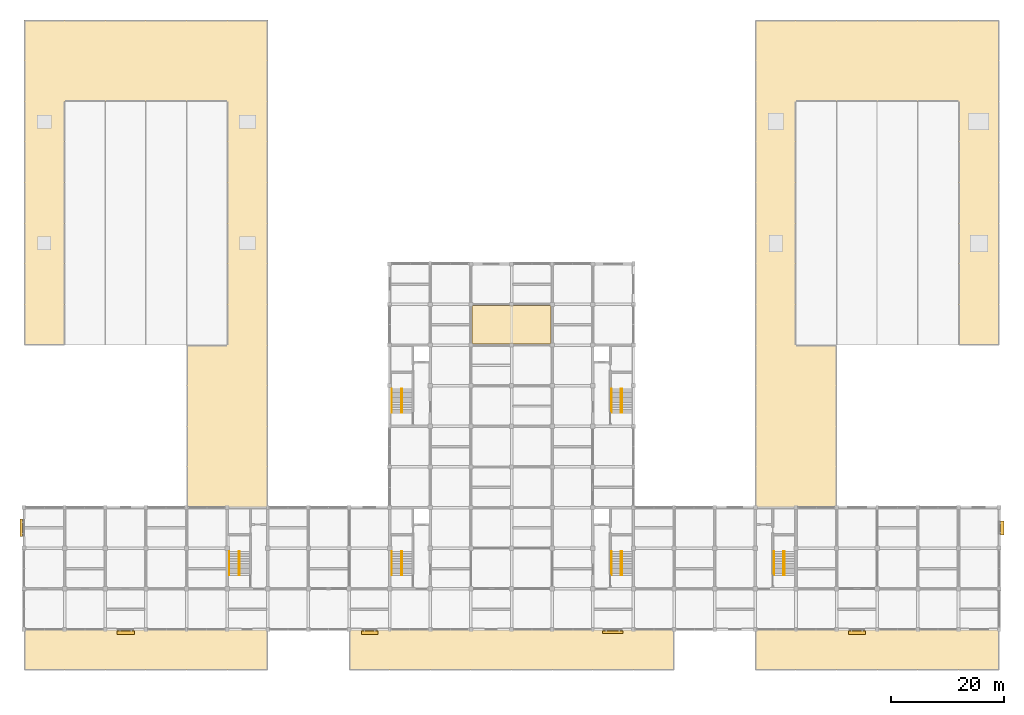
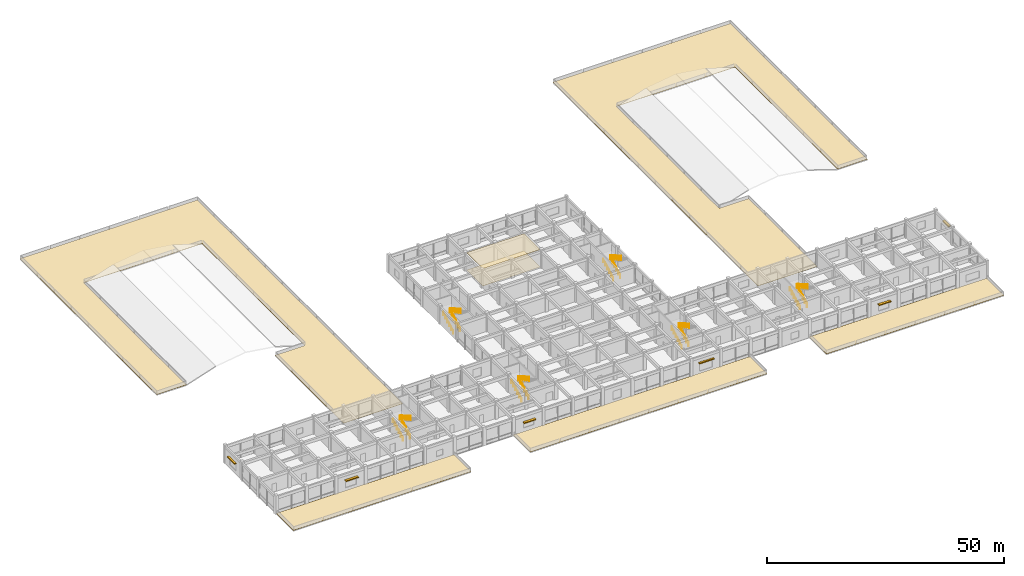
# One storey, part 30 of 30: 12 railings, 7 coverings, 6 shading devices.
"""IFC4 building model written with IfcOpenShell, lengths in metres."""

from ifc_helpers import new_model, si_unit, direction, frame, origin, origin_2d, place, context, subcontext, project, spatial, polyline, rectangle, circle, outline, extrude, material, layer, layer_set, type_object, element, save


model = new_model("IFC4")

# Units and contexts
model_context = context("Model", 3, precision=1e-05, world=origin(), true_north=direction((0.0, 1.0)))
body_context = subcontext(model_context, "Body", "Model", "MODEL_VIEW")
ifc_project = project(units=[si_unit("LENGTHUNIT", "METRE"), si_unit("AREAUNIT", "SQUARE_METRE"), si_unit("VOLUMEUNIT", "CUBIC_METRE"), si_unit("PLANEANGLEUNIT", "RADIAN"), si_unit("MASSUNIT", "GRAM", prefix="KILO")], contexts=[model_context])

# Site, building, storey
site_placement = place(None, origin())
site = spatial("IfcSite", under=ifc_project, at=site_placement, CompositionType="ELEMENT")
building_placement = place(site_placement, origin())
building = spatial("IfcBuilding", under=site, at=building_placement, Name="Cendaluz Park School", CompositionType="ELEMENT")
storey_placement = place(building_placement, frame((0.0, 0.0, 9.60009765625)))
storey = spatial("IfcBuildingStorey", under=building, at=storey_placement, Name="L02", CompositionType="ELEMENT", Elevation=9.60009765625)

# Coverings
ifc_material_1 = material(Name="Mineral Fibre Acoustic Tile")
ifc_layer_1 = layer(ifc_material_1, 0.030029296875)
ifc_layer_set_1 = layer_set([ifc_layer_1], Name="Mineral Fibre Acoustic Tile")
covering_type_1 = type_object("IfcCoveringType", Name="CV-CLG01", PredefinedType="CEILING", material=ifc_layer_set_1)
covering_1_placement = place(storey_placement, frame((0.0, 0.0, 4.47998046875)))
element("IfcCovering", 1, at=covering_1_placement, inside=storey, type_object=covering_type_1, Name="CV-CLG-L02-01", PredefinedType="CEILING", context=body_context, shape_type="SweptSolid", body=[
    extrude(outline(polyline([(79.39990234375, 57.800048828125), (93.39990234375, 57.800048828125), (93.39990234375, 64.60009765625), (79.39990234375, 64.60009765625), (79.39990234375, 57.800048828125)])), origin(), (0.0, 0.0, 1.0), 0.030029296875),
])
ifc_material_2 = material(Name="Polished Terrazzo Tile")
ifc_layer_2 = layer(ifc_material_2, 0.02001953125)
ifc_layer_set_2 = layer_set([ifc_layer_2], Name="Polished Terrazzo Tile")
covering_type_2 = type_object("IfcCoveringType", Name="CV-FLR01", PredefinedType="FLOORING", material=ifc_layer_set_2)
covering_2_placement = place(storey_placement, origin())
element("IfcCovering", 2, at=covering_2_placement, inside=storey, type_object=covering_type_2, Name="CV-FLR-L02-01", PredefinedType="FLOORING", context=body_context, shape_type="SweptSolid", body=[
    extrude(outline(polyline([(79.39990234375, 57.800048828125), (93.39990234375, 57.800048828125), (93.39990234375, 64.60009765625), (79.39990234375, 64.60009765625), (79.39990234375, 57.800048828125)])), origin(), (0.0, 0.0, 1.0), 0.02001953125),
])
ifc_material_3 = material(Name="EPDM Roofing Membrane")
ifc_layer_3 = layer(ifc_material_3, 0.06005859375)
ifc_layer_set_3 = layer_set([ifc_layer_3], Name="EPDM Roofing Membrane")
covering_type_3 = type_object("IfcCoveringType", Name="CV-RF01", PredefinedType="ROOFING", material=ifc_layer_set_3)
covering_3_placement = place(storey_placement, origin())
element("IfcCovering", 3, at=covering_3_placement, inside=storey, type_object=covering_type_3, Name="CV-RF-L01-02", PredefinedType="ROOFING", context=body_context, shape_type="SweptSolid", body=[
    extrude(outline(polyline([(43.199951171875, 7.199951171875), (43.199951171875, 0.0), (0.0, 0.0), (0.0, 7.199951171875), (43.199951171875, 7.199951171875)])), origin(), (0.0, 0.0, 1.0), 0.059814453125),
])
covering_4_placement = place(storey_placement, origin())
element("IfcCovering", 4, at=covering_4_placement, inside=storey, type_object=covering_type_3, Name="CV-RF-L01-03", PredefinedType="ROOFING", context=body_context, shape_type="SweptSolid", body=[
    extrude(outline(polyline([(28.800048828125, 57.60009765625), (36.0, 57.60009765625), (36.0, 100.800048828125), (7.199951171875, 100.800048828125), (7.199951171875, 57.60009765625), (0.0, 57.60009765625), (0.0, 115.199951171875), (43.199951171875, 115.199951171875), (43.199951171875, 28.800048828125), (28.800048828125, 28.800048828125), (28.800048828125, 57.60009765625)])), origin(), (0.0, 0.0, 1.0), 0.059814453125),
])
covering_5_placement = place(storey_placement, origin())
element("IfcCovering", 5, at=covering_5_placement, inside=storey, type_object=covering_type_3, Name="CV-RF-L01-04", PredefinedType="ROOFING", context=body_context, shape_type="SweptSolid", body=[
    extrude(outline(polyline([(129.60009765625, 7.199951171875), (172.800048828125, 7.199951171875), (172.800048828125, 0.0), (129.60009765625, 0.0), (129.60009765625, 7.199951171875)])), origin(), (0.0, 0.0, 1.0), 0.059814453125),
])
covering_6_placement = place(storey_placement, origin())
element("IfcCovering", 6, at=covering_6_placement, inside=storey, type_object=covering_type_3, Name="CV-RF-L01-05", PredefinedType="ROOFING", context=body_context, shape_type="SweptSolid", body=[
    extrude(outline(polyline([(115.199951171875, 0.0), (57.60009765625, 0.0), (57.60009765625, 7.199951171875), (115.199951171875, 7.199951171875), (115.199951171875, 0.0)])), origin(), (0.0, 0.0, 1.0), 0.059814453125),
])
covering_7_placement = place(storey_placement, origin())
element("IfcCovering", 7, at=covering_7_placement, inside=storey, type_object=covering_type_3, Name="CV-RF-L01-06", PredefinedType="ROOFING", context=body_context, shape_type="SweptSolid", body=[
    extrude(outline(polyline([(129.60009765625, 115.199951171875), (172.800048828125, 115.199951171875), (172.800048828125, 57.60009765625), (165.60009765625, 57.60009765625), (165.60009765625, 100.800048828125), (136.800048828125, 100.800048828125), (136.800048828125, 57.60009765625), (144.0, 57.60009765625), (144.0, 28.800048828125), (129.60009765625, 28.800048828125), (129.60009765625, 115.199951171875)])), origin(), (0.0, 0.0, 1.0), 0.059814453125),
])

# Railings
ifc_material_4 = material(Name="Wrought Iron")
railing_type_1 = type_object("IfcRailingType", Name="GR-ST01", PredefinedType="BALUSTRADE", material=ifc_material_4)
railing_1_placement = place(storey_placement, frame((66.840087890625, 16.800048828125, 0.159912109375)))
element("IfcRailing", 8, at=railing_1_placement, inside=storey, type_object=railing_type_1, Name="GR-ST-007", PredefinedType="BALUSTRADE", context=body_context, shape_type="SweptSolid", body=[
    extrude(circle(Radius=0.02392578125, at=origin_2d()), frame((0.0, 0.0, 1.076171875), z_axis=(0.0, 0.882351521365, 0.470590897432), x_axis=(-1.0, 0.0, 0.0)), (0.0, 0.0, 1.0), 4.760009765625),
    extrude(circle(Radius=0.02392578125, at=origin_2d()), frame((0.0, 4.199951171875, 3.31591796875), z_axis=(1.0, 0.0, 0.0), x_axis=(0.0, 1.0, 0.0)), (0.0, 0.0, 1.0), 0.169921875),
    extrude(circle(Radius=0.02392578125, at=origin_2d()), frame((0.169921875, 4.199951171875, 3.31591796875), z_axis=(0.0, -0.868249353848, 0.496128067682), x_axis=(1.0, 0.0, 0.0)), (0.0, 0.0, 1.0), 4.837158203125),
    extrude(circle(Radius=0.02099609375, at=origin_2d()), origin(), (0.0, 0.0, 1.0), 1.052001953125),
    extrude(circle(Radius=0.02099609375, at=origin_2d()), frame((0.0, 0.840087890625, 0.447998046875)), (0.0, 0.0, 1.0), 1.052001953125),
    extrude(circle(Radius=0.02099609375, at=origin_2d()), frame((0.0, 1.679931640625, 0.89599609375)), (0.0, 0.0, 1.0), 1.052001953125),
    extrude(circle(Radius=0.02099609375, at=origin_2d()), frame((0.0, 2.52001953125, 1.343994140625)), (0.0, 0.0, 1.0), 1.052001953125),
    extrude(circle(Radius=0.02099609375, at=origin_2d()), frame((0.0, 3.35986328125, 1.7919921875)), (0.0, 0.0, 1.0), 1.052001953125),
    extrude(circle(Radius=0.02099609375, at=origin_2d()), frame((0.0, 4.199951171875, 2.239990234375)), (0.0, 0.0, 1.0), 1.052001953125),
    extrude(circle(Radius=0.02099609375, at=origin_2d()), frame((0.169921875, 4.199951171875, 2.239990234375)), (0.0, 0.0, 1.0), 1.052001953125),
    extrude(circle(Radius=0.02099609375, at=origin_2d()), frame((0.169921875, 3.35986328125, 2.719970703125)), (0.0, 0.0, 1.0), 1.052001953125),
    extrude(circle(Radius=0.02099609375, at=origin_2d()), frame((0.169921875, 2.52001953125, 3.199951171875)), (0.0, 0.0, 1.0), 1.052001953125),
    extrude(circle(Radius=0.02099609375, at=origin_2d()), frame((0.169921875, 1.679931640625, 3.679931640625)), (0.0, 0.0, 1.0), 1.052001953125),
    extrude(circle(Radius=0.02099609375, at=origin_2d()), frame((0.169921875, 0.840087890625, 4.159912109375)), (0.0, 0.0, 1.0), 1.052001953125),
    extrude(circle(Radius=0.02099609375, at=origin_2d()), frame((0.169921875, 0.0, 4.639892578125)), (0.0, 0.0, 1.0), 1.052001953125),
])
railing_2_placement = place(storey_placement, frame((105.7900390625, 16.800048828125, 0.159912109375)))
element("IfcRailing", 9, at=railing_2_placement, inside=storey, type_object=railing_type_1, Name="GR-ST-042", PredefinedType="BALUSTRADE", context=body_context, shape_type="SweptSolid", body=[
    extrude(circle(Radius=0.02392578125, at=origin_2d()), frame((0.0, 0.0, 1.076171875), z_axis=(0.0, 0.882351521365, 0.470590897432), x_axis=(-1.0, 0.0, 0.0)), (0.0, 0.0, 1.0), 4.760009765625),
    extrude(circle(Radius=0.02392578125, at=origin_2d()), frame((0.0, 4.199951171875, 3.31591796875), z_axis=(1.0, 0.0, 0.0), x_axis=(0.0, 1.0, 0.0)), (0.0, 0.0, 1.0), 0.169921875),
    extrude(circle(Radius=0.02392578125, at=origin_2d()), frame((0.169921875, 4.199951171875, 3.31591796875), z_axis=(0.0, -0.868249353848, 0.496128067682), x_axis=(1.0, 0.0, 0.0)), (0.0, 0.0, 1.0), 4.837158203125),
    extrude(circle(Radius=0.02099609375, at=origin_2d()), origin(), (0.0, 0.0, 1.0), 1.052001953125),
    extrude(circle(Radius=0.02099609375, at=origin_2d()), frame((0.0, 0.840087890625, 0.447998046875)), (0.0, 0.0, 1.0), 1.052001953125),
    extrude(circle(Radius=0.02099609375, at=origin_2d()), frame((0.0, 1.679931640625, 0.89599609375)), (0.0, 0.0, 1.0), 1.052001953125),
    extrude(circle(Radius=0.02099609375, at=origin_2d()), frame((0.0, 2.52001953125, 1.343994140625)), (0.0, 0.0, 1.0), 1.052001953125),
    extrude(circle(Radius=0.02099609375, at=origin_2d()), frame((0.0, 3.35986328125, 1.7919921875)), (0.0, 0.0, 1.0), 1.052001953125),
    extrude(circle(Radius=0.02099609375, at=origin_2d()), frame((0.0, 4.199951171875, 2.239990234375)), (0.0, 0.0, 1.0), 1.052001953125),
    extrude(circle(Radius=0.02099609375, at=origin_2d()), frame((0.169921875, 4.199951171875, 2.239990234375)), (0.0, 0.0, 1.0), 1.052001953125),
    extrude(circle(Radius=0.02099609375, at=origin_2d()), frame((0.169921875, 3.35986328125, 2.719970703125)), (0.0, 0.0, 1.0), 1.052001953125),
    extrude(circle(Radius=0.02099609375, at=origin_2d()), frame((0.169921875, 2.52001953125, 3.199951171875)), (0.0, 0.0, 1.0), 1.052001953125),
    extrude(circle(Radius=0.02099609375, at=origin_2d()), frame((0.169921875, 1.679931640625, 3.679931640625)), (0.0, 0.0, 1.0), 1.052001953125),
    extrude(circle(Radius=0.02099609375, at=origin_2d()), frame((0.169921875, 0.840087890625, 4.159912109375)), (0.0, 0.0, 1.0), 1.052001953125),
    extrude(circle(Radius=0.02099609375, at=origin_2d()), frame((0.169921875, 0.0, 4.639892578125)), (0.0, 0.0, 1.0), 1.052001953125),
])
railing_3_placement = place(storey_placement, frame((66.840087890625, 45.60009765625, 0.159912109375)))
element("IfcRailing", 10, at=railing_3_placement, inside=storey, type_object=railing_type_1, Name="GR-ST-077", PredefinedType="BALUSTRADE", context=body_context, shape_type="SweptSolid", body=[
    extrude(circle(Radius=0.02392578125, at=origin_2d()), frame((0.0, 0.0, 1.076171875), z_axis=(0.0, 0.882351521365, 0.470590897432), x_axis=(-1.0, 0.0, 0.0)), (0.0, 0.0, 1.0), 4.760009765625),
    extrude(circle(Radius=0.02392578125, at=origin_2d()), frame((0.0, 4.199951171875, 3.31591796875), z_axis=(1.0, 0.0, 0.0), x_axis=(0.0, 1.0, 0.0)), (0.0, 0.0, 1.0), 0.169921875),
    extrude(circle(Radius=0.02392578125, at=origin_2d()), frame((0.169921875, 4.199951171875, 3.31591796875), z_axis=(0.0, -0.868249353848, 0.496128067682), x_axis=(1.0, 0.0, 0.0)), (0.0, 0.0, 1.0), 4.837158203125),
    extrude(circle(Radius=0.02099609375, at=origin_2d()), origin(), (0.0, 0.0, 1.0), 1.052001953125),
    extrude(circle(Radius=0.02099609375, at=origin_2d()), frame((0.0, 0.840087890625, 0.447998046875)), (0.0, 0.0, 1.0), 1.052001953125),
    extrude(circle(Radius=0.02099609375, at=origin_2d()), frame((0.0, 1.679931640625, 0.89599609375)), (0.0, 0.0, 1.0), 1.052001953125),
    extrude(circle(Radius=0.02099609375, at=origin_2d()), frame((0.0, 2.52001953125, 1.343994140625)), (0.0, 0.0, 1.0), 1.052001953125),
    extrude(circle(Radius=0.02099609375, at=origin_2d()), frame((0.0, 3.35986328125, 1.7919921875)), (0.0, 0.0, 1.0), 1.052001953125),
    extrude(circle(Radius=0.02099609375, at=origin_2d()), frame((0.0, 4.199951171875, 2.239990234375)), (0.0, 0.0, 1.0), 1.052001953125),
    extrude(circle(Radius=0.02099609375, at=origin_2d()), frame((0.169921875, 4.199951171875, 2.239990234375)), (0.0, 0.0, 1.0), 1.052001953125),
    extrude(circle(Radius=0.02099609375, at=origin_2d()), frame((0.169921875, 3.35986328125, 2.719970703125)), (0.0, 0.0, 1.0), 1.052001953125),
    extrude(circle(Radius=0.02099609375, at=origin_2d()), frame((0.169921875, 2.52001953125, 3.199951171875)), (0.0, 0.0, 1.0), 1.052001953125),
    extrude(circle(Radius=0.02099609375, at=origin_2d()), frame((0.169921875, 1.679931640625, 3.679931640625)), (0.0, 0.0, 1.0), 1.052001953125),
    extrude(circle(Radius=0.02099609375, at=origin_2d()), frame((0.169921875, 0.840087890625, 4.159912109375)), (0.0, 0.0, 1.0), 1.052001953125),
    extrude(circle(Radius=0.02099609375, at=origin_2d()), frame((0.169921875, 0.0, 4.639892578125)), (0.0, 0.0, 1.0), 1.052001953125),
])
railing_4_placement = place(storey_placement, frame((105.7900390625, 45.60009765625, 0.159912109375)))
element("IfcRailing", 11, at=railing_4_placement, inside=storey, type_object=railing_type_1, Name="GR-ST-112", PredefinedType="BALUSTRADE", context=body_context, shape_type="SweptSolid", body=[
    extrude(circle(Radius=0.02392578125, at=origin_2d()), frame((0.0, 0.0, 1.076171875), z_axis=(0.0, 0.882351521365, 0.470590897432), x_axis=(-1.0, 0.0, 0.0)), (0.0, 0.0, 1.0), 4.760009765625),
    extrude(circle(Radius=0.02392578125, at=origin_2d()), frame((0.0, 4.199951171875, 3.31591796875), z_axis=(1.0, 0.0, 0.0), x_axis=(0.0, 1.0, 0.0)), (0.0, 0.0, 1.0), 0.169921875),
    extrude(circle(Radius=0.02392578125, at=origin_2d()), frame((0.169921875, 4.199951171875, 3.31591796875), z_axis=(0.0, -0.868249353848, 0.496128067682), x_axis=(1.0, 0.0, 0.0)), (0.0, 0.0, 1.0), 4.837158203125),
    extrude(circle(Radius=0.02099609375, at=origin_2d()), origin(), (0.0, 0.0, 1.0), 1.052001953125),
    extrude(circle(Radius=0.02099609375, at=origin_2d()), frame((0.0, 0.840087890625, 0.447998046875)), (0.0, 0.0, 1.0), 1.052001953125),
    extrude(circle(Radius=0.02099609375, at=origin_2d()), frame((0.0, 1.679931640625, 0.89599609375)), (0.0, 0.0, 1.0), 1.052001953125),
    extrude(circle(Radius=0.02099609375, at=origin_2d()), frame((0.0, 2.52001953125, 1.343994140625)), (0.0, 0.0, 1.0), 1.052001953125),
    extrude(circle(Radius=0.02099609375, at=origin_2d()), frame((0.0, 3.35986328125, 1.7919921875)), (0.0, 0.0, 1.0), 1.052001953125),
    extrude(circle(Radius=0.02099609375, at=origin_2d()), frame((0.0, 4.199951171875, 2.239990234375)), (0.0, 0.0, 1.0), 1.052001953125),
    extrude(circle(Radius=0.02099609375, at=origin_2d()), frame((0.169921875, 4.199951171875, 2.239990234375)), (0.0, 0.0, 1.0), 1.052001953125),
    extrude(circle(Radius=0.02099609375, at=origin_2d()), frame((0.169921875, 3.35986328125, 2.719970703125)), (0.0, 0.0, 1.0), 1.052001953125),
    extrude(circle(Radius=0.02099609375, at=origin_2d()), frame((0.169921875, 2.52001953125, 3.199951171875)), (0.0, 0.0, 1.0), 1.052001953125),
    extrude(circle(Radius=0.02099609375, at=origin_2d()), frame((0.169921875, 1.679931640625, 3.679931640625)), (0.0, 0.0, 1.0), 1.052001953125),
    extrude(circle(Radius=0.02099609375, at=origin_2d()), frame((0.169921875, 0.840087890625, 4.159912109375)), (0.0, 0.0, 1.0), 1.052001953125),
    extrude(circle(Radius=0.02099609375, at=origin_2d()), frame((0.169921875, 0.0, 4.639892578125)), (0.0, 0.0, 1.0), 1.052001953125),
])
railing_5_placement = place(storey_placement, frame((38.0400390625, 16.800048828125, 0.159912109375)))
element("IfcRailing", 12, at=railing_5_placement, inside=storey, type_object=railing_type_1, Name="GR-ST-147", PredefinedType="BALUSTRADE", context=body_context, shape_type="SweptSolid", body=[
    extrude(circle(Radius=0.02392578125, at=origin_2d()), frame((0.0, 0.0, 1.076171875), z_axis=(0.0, 0.882351521365, 0.470590897432), x_axis=(-1.0, 0.0, 0.0)), (0.0, 0.0, 1.0), 4.760009765625),
    extrude(circle(Radius=0.02392578125, at=origin_2d()), frame((0.0, 4.199951171875, 3.31591796875), z_axis=(1.0, 0.0, 0.0), x_axis=(0.0, 1.0, 0.0)), (0.0, 0.0, 1.0), 0.169921875),
    extrude(circle(Radius=0.02392578125, at=origin_2d()), frame((0.169921875, 4.199951171875, 3.31591796875), z_axis=(0.0, -0.868249353848, 0.496128067682), x_axis=(1.0, 0.0, 0.0)), (0.0, 0.0, 1.0), 4.837158203125),
    extrude(circle(Radius=0.02099609375, at=origin_2d()), origin(), (0.0, 0.0, 1.0), 1.052001953125),
    extrude(circle(Radius=0.02099609375, at=origin_2d()), frame((0.0, 0.840087890625, 0.447998046875)), (0.0, 0.0, 1.0), 1.052001953125),
    extrude(circle(Radius=0.02099609375, at=origin_2d()), frame((0.0, 1.679931640625, 0.89599609375)), (0.0, 0.0, 1.0), 1.052001953125),
    extrude(circle(Radius=0.02099609375, at=origin_2d()), frame((0.0, 2.52001953125, 1.343994140625)), (0.0, 0.0, 1.0), 1.052001953125),
    extrude(circle(Radius=0.02099609375, at=origin_2d()), frame((0.0, 3.35986328125, 1.7919921875)), (0.0, 0.0, 1.0), 1.052001953125),
    extrude(circle(Radius=0.02099609375, at=origin_2d()), frame((0.0, 4.199951171875, 2.239990234375)), (0.0, 0.0, 1.0), 1.052001953125),
    extrude(circle(Radius=0.02099609375, at=origin_2d()), frame((0.169921875, 4.199951171875, 2.239990234375)), (0.0, 0.0, 1.0), 1.052001953125),
    extrude(circle(Radius=0.02099609375, at=origin_2d()), frame((0.169921875, 3.35986328125, 2.719970703125)), (0.0, 0.0, 1.0), 1.052001953125),
    extrude(circle(Radius=0.02099609375, at=origin_2d()), frame((0.169921875, 2.52001953125, 3.199951171875)), (0.0, 0.0, 1.0), 1.052001953125),
    extrude(circle(Radius=0.02099609375, at=origin_2d()), frame((0.169921875, 1.679931640625, 3.679931640625)), (0.0, 0.0, 1.0), 1.052001953125),
    extrude(circle(Radius=0.02099609375, at=origin_2d()), frame((0.169921875, 0.840087890625, 4.159912109375)), (0.0, 0.0, 1.0), 1.052001953125),
    extrude(circle(Radius=0.02099609375, at=origin_2d()), frame((0.169921875, 0.0, 4.639892578125)), (0.0, 0.0, 1.0), 1.052001953125),
])
railing_6_placement = place(storey_placement, frame((134.590087890625, 16.800048828125, 0.159912109375)))
element("IfcRailing", 13, at=railing_6_placement, inside=storey, type_object=railing_type_1, Name="GR-ST-164", PredefinedType="BALUSTRADE", context=body_context, shape_type="SweptSolid", body=[
    extrude(circle(Radius=0.02392578125, at=origin_2d()), frame((0.0, 0.0, 1.076171875), z_axis=(0.0, 0.882351521365, 0.470590897432), x_axis=(-1.0, 0.0, 0.0)), (0.0, 0.0, 1.0), 4.760009765625),
    extrude(circle(Radius=0.02392578125, at=origin_2d()), frame((0.0, 4.199951171875, 3.31591796875), z_axis=(1.0, 0.0, 0.0), x_axis=(0.0, 1.0, 0.0)), (0.0, 0.0, 1.0), 0.169921875),
    extrude(circle(Radius=0.02392578125, at=origin_2d()), frame((0.169921875, 4.199951171875, 3.31591796875), z_axis=(0.0, -0.868249353848, 0.496128067682), x_axis=(1.0, 0.0, 0.0)), (0.0, 0.0, 1.0), 4.837158203125),
    extrude(circle(Radius=0.02099609375, at=origin_2d()), origin(), (0.0, 0.0, 1.0), 1.052001953125),
    extrude(circle(Radius=0.02099609375, at=origin_2d()), frame((0.0, 0.840087890625, 0.447998046875)), (0.0, 0.0, 1.0), 1.052001953125),
    extrude(circle(Radius=0.02099609375, at=origin_2d()), frame((0.0, 1.679931640625, 0.89599609375)), (0.0, 0.0, 1.0), 1.052001953125),
    extrude(circle(Radius=0.02099609375, at=origin_2d()), frame((0.0, 2.52001953125, 1.343994140625)), (0.0, 0.0, 1.0), 1.052001953125),
    extrude(circle(Radius=0.02099609375, at=origin_2d()), frame((0.0, 3.35986328125, 1.7919921875)), (0.0, 0.0, 1.0), 1.052001953125),
    extrude(circle(Radius=0.02099609375, at=origin_2d()), frame((0.0, 4.199951171875, 2.239990234375)), (0.0, 0.0, 1.0), 1.052001953125),
    extrude(circle(Radius=0.02099609375, at=origin_2d()), frame((0.169921875, 4.199951171875, 2.239990234375)), (0.0, 0.0, 1.0), 1.052001953125),
    extrude(circle(Radius=0.02099609375, at=origin_2d()), frame((0.169921875, 3.35986328125, 2.719970703125)), (0.0, 0.0, 1.0), 1.052001953125),
    extrude(circle(Radius=0.02099609375, at=origin_2d()), frame((0.169921875, 2.52001953125, 3.199951171875)), (0.0, 0.0, 1.0), 1.052001953125),
    extrude(circle(Radius=0.02099609375, at=origin_2d()), frame((0.169921875, 1.679931640625, 3.679931640625)), (0.0, 0.0, 1.0), 1.052001953125),
    extrude(circle(Radius=0.02099609375, at=origin_2d()), frame((0.169921875, 0.840087890625, 4.159912109375)), (0.0, 0.0, 1.0), 1.052001953125),
    extrude(circle(Radius=0.02099609375, at=origin_2d()), frame((0.169921875, 0.0, 4.639892578125)), (0.0, 0.0, 1.0), 1.052001953125),
])
ifc_material_5 = material(Name="Architectural Bronze")
railing_type_2 = type_object("IfcRailingType", Name="HR-ST01", PredefinedType="HANDRAIL", material=ifc_material_5)
for number, where, name in (
    (14, (65.14990234375, 16.800048828125, 0.159912109375), "HR-ST-008"),
    (15, (104.10009765625, 16.800048828125, 0.159912109375), "HR-ST-043"),
    (16, (65.14990234375, 45.60009765625, 0.159912109375), "HR-ST-078"),
    (17, (104.10009765625, 45.60009765625, 0.159912109375), "HR-ST-113"),
    (18, (36.35009765625, 16.800048828125, 0.159912109375), "HR-ST-148"),
    (19, (132.89990234375, 16.800048828125, 0.159912109375), "HR-ST-165"),
):
    element("IfcRailing", number, at=place(storey_placement, frame(where)), inside=storey, type_object=railing_type_2, Name=name, PredefinedType="HANDRAIL", context=body_context, shape_type="SweptSolid", body=[
        extrude(circle(Radius=0.02392578125, at=origin_2d()), frame((0.0, 0.0, 0.8759765625), z_axis=(0.0, 0.882351521365, 0.470590897432), x_axis=(-1.0, 0.0, 0.0)), (0.0, 0.0, 1.0), 4.760009765625),
        extrude(circle(Radius=0.02099609375, at=origin_2d()), origin(), (0.0, 0.0, 1.0), 0.851806640625),
        extrude(circle(Radius=0.02099609375, at=origin_2d()), frame((0.0, 0.840087890625, 0.447998046875)), (0.0, 0.0, 1.0), 0.851806640625),
        extrude(circle(Radius=0.02099609375, at=origin_2d()), frame((0.0, 1.679931640625, 0.89599609375)), (0.0, 0.0, 1.0), 0.851806640625),
        extrude(circle(Radius=0.02099609375, at=origin_2d()), frame((0.0, 2.52001953125, 1.343994140625)), (0.0, 0.0, 1.0), 0.851806640625),
        extrude(circle(Radius=0.02099609375, at=origin_2d()), frame((0.0, 3.35986328125, 1.7919921875)), (0.0, 0.0, 1.0), 0.851806640625),
        extrude(circle(Radius=0.02099609375, at=origin_2d()), frame((0.0, 4.199951171875, 2.239990234375)), (0.0, 0.0, 1.0), 0.851806640625),
    ])

# Shading devices
ifc_material_6 = material(Name="Anodised Aluminium 6063-T6", Category="aluminium")
shading_device_type_1 = type_object("IfcShadingDeviceType", Name="SD-01", PredefinedType="JALOUSIE", material=ifc_material_6)
shading_device_1_placement = place(storey_placement, frame((18.0, 6.639892578125, 2.8701171875), z_axis=(0.0, 0.0, 1.0), x_axis=(1.0, 0.0, 0.0)))
element("IfcShadingDevice", 20, at=shading_device_1_placement, inside=storey, type_object=shading_device_type_1, Name="SD-L02-049", PredefinedType="JALOUSIE", context=body_context, shape_type="SweptSolid", body=[
    extrude(rectangle(XDim=3.10009765625, YDim=0.60009765625, at=origin_2d()), origin(), (0.0, 0.0, 1.0), 0.239990234375),
])
shading_device_2_placement = place(storey_placement, frame((61.25, 6.639892578125, 2.6201171875), z_axis=(0.0, 0.0, 1.0), x_axis=(1.0, 0.0, 0.0)))
element("IfcShadingDevice", 21, at=shading_device_2_placement, inside=storey, type_object=shading_device_type_1, Name="SD-L02-050", PredefinedType="JALOUSIE", context=body_context, shape_type="SweptSolid", body=[
    extrude(rectangle(XDim=2.89990234375, YDim=0.60009765625, at=origin_2d()), origin(), (0.0, 0.0, 1.0), 0.239990234375),
])
shading_device_3_placement = place(storey_placement, frame((147.60009765625, 6.639892578125, 2.7197265625), z_axis=(0.0, 0.0, 1.0), x_axis=(1.0, 0.0, 0.0)))
element("IfcShadingDevice", 22, at=shading_device_3_placement, inside=storey, type_object=shading_device_type_1, Name="SD-L02-052", PredefinedType="JALOUSIE", context=body_context, shape_type="SweptSolid", body=[
    extrude(rectangle(XDim=3.0, YDim=0.60009765625, at=origin_2d()), origin(), (0.0, 0.0, 1.0), 0.239990234375),
])
shading_device_4_placement = place(storey_placement, frame((173.360107421875, 25.199951171875, 2.8701171875), z_axis=(0.0, 0.0, 1.0), x_axis=(0.0, 1.0, 0.0)))
element("IfcShadingDevice", 23, at=shading_device_4_placement, inside=storey, type_object=shading_device_type_1, Name="SD-L02-053", PredefinedType="JALOUSIE", context=body_context, shape_type="SweptSolid", body=[
    extrude(rectangle(XDim=2.5, YDim=0.60009765625, at=origin_2d()), origin(), (0.0, 0.0, 1.0), 0.239990234375),
])
shading_device_type_2 = type_object("IfcShadingDeviceType", Name="SD-02", PredefinedType="SHUTTER", material=ifc_material_5)
shading_device_5_placement = place(storey_placement, frame((-0.485107421875, 25.199951171875, 2.8701171875), z_axis=(0.0, 0.0, 1.0), x_axis=(0.0, 1.0, 0.0)))
element("IfcShadingDevice", 24, at=shading_device_5_placement, inside=storey, type_object=shading_device_type_2, Name="SD-L02-048", PredefinedType="SHUTTER", context=body_context, shape_type="SweptSolid", body=[
    extrude(rectangle(XDim=3.10009765625, YDim=0.449951171875, at=origin_2d()), origin(), (0.0, 0.0, 1.0), 0.239990234375),
])
shading_device_6_placement = place(storey_placement, frame((104.35009765625, 6.715087890625, 2.919921875), z_axis=(0.0, 0.0, 1.0), x_axis=(1.0, 0.0, 0.0)))
element("IfcShadingDevice", 25, at=shading_device_6_placement, inside=storey, type_object=shading_device_type_2, Name="SD-L02-051", PredefinedType="SHUTTER", context=body_context, shape_type="SweptSolid", body=[
    extrude(rectangle(XDim=3.60009765625, YDim=0.449951171875, at=origin_2d()), origin(), (0.0, 0.0, 1.0), 0.239990234375),
])

save(model, "model.ifc")
